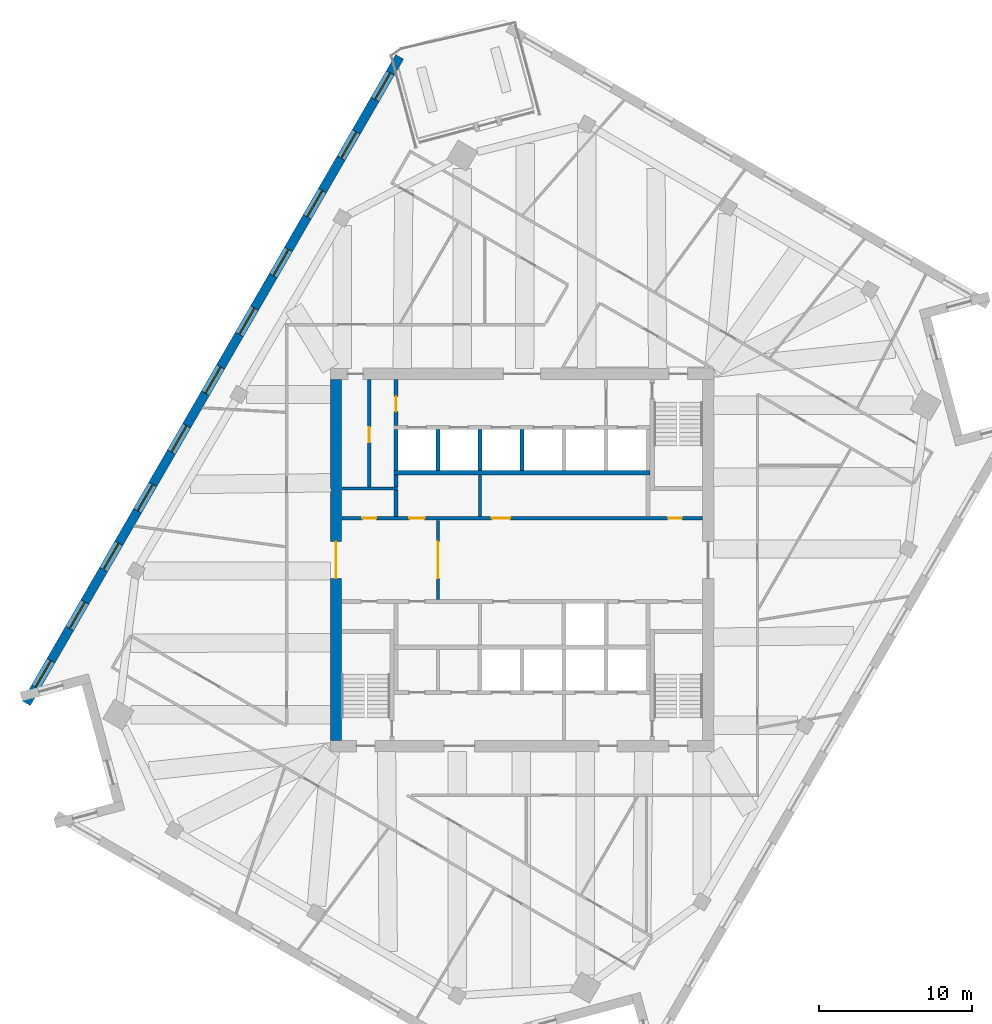
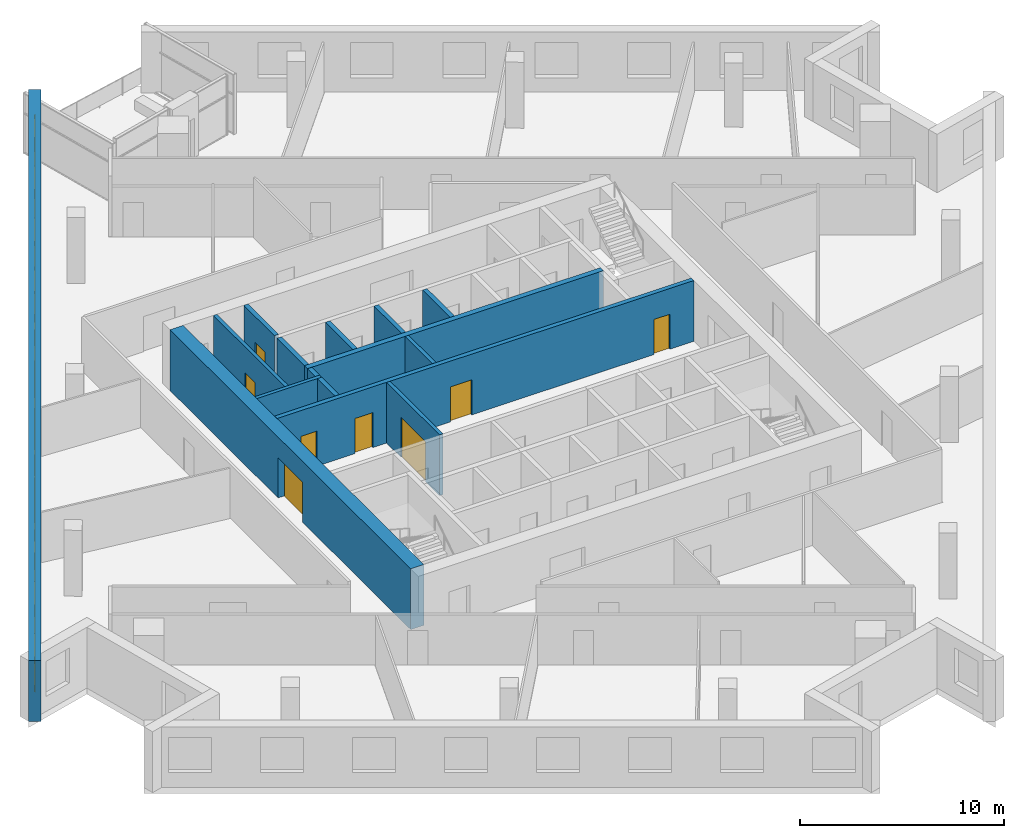
# One storey, part 9 of 13: 15 walls, 11 windows, 8 doors, 19 openings.
"""IFC4 building model written with IfcOpenShell, lengths in metres."""

from ifc_helpers import new_model, si_unit, direction, frame, frame_2d, origin, place, context, subcontext, project, spatial, rectangle, extrude, material, layer, layer_set, type_object, element, fill, save


model = new_model("IFC4")

# Units and contexts
model_context = context("Model", 3, precision=1e-05, world=origin(), true_north=direction((0.0, 1.0)))
body_context = subcontext(model_context, "Body", "Model", "MODEL_VIEW")
ifc_project = project(units=[si_unit("LENGTHUNIT", "METRE"), si_unit("AREAUNIT", "SQUARE_METRE"), si_unit("VOLUMEUNIT", "CUBIC_METRE"), si_unit("PLANEANGLEUNIT", "RADIAN"), si_unit("MASSUNIT", "GRAM", prefix="KILO")], contexts=[model_context])

# Site, building, storey
site_placement = place(None, origin())
site = spatial("IfcSite", under=ifc_project, at=site_placement, CompositionType="ELEMENT")
building_placement = place(site_placement, origin())
building = spatial("IfcBuilding", under=site, at=building_placement, Name="Dilmun Exchange Tower", CompositionType="ELEMENT")
storey_placement = place(building_placement, frame((0.0, 0.0, 266.89990234375)))
storey = spatial("IfcBuildingStorey", under=building, at=storey_placement, Name="L63", CompositionType="ELEMENT", Elevation=266.89990234375)

# Wall, opening, door
ifc_material_1 = material(Name="Concrete C40/50", Category="concrete")
ifc_layer_1 = layer(ifc_material_1, 0.199951171875)
ifc_layer_set_1 = layer_set([ifc_layer_1], Name="Concrete C40/50")
wall_type_1 = type_object("IfcWallType", Name="Core partition wall 200", PredefinedType="PARTITIONING", material=ifc_layer_set_1)
wall_1_placement = place(storey_placement, frame((-5.5, -2.594970703125, 0.0), z_axis=(0.0, 0.0, 1.0), x_axis=(0.0, 1.0, 0.0)))
wall_1 = element("IfcWall", 1, at=wall_1_placement, inside=storey, type_object=wall_type_1, Name="L63 core partition wall 11", PredefinedType="PARTITIONING", context=body_context, shape_type="SweptSolid", body=[
    extrude(rectangle(XDim=5.18994140625, YDim=0.199951171875, at=frame_2d((2.594970703125, 0.0))), origin(), (0.0, 0.0, 1.0), 3.64013671875),
])
opening_1_placement = place(wall_1_placement, frame((1.39501953125, 0.0, 0.0)))
opening_1 = element("IfcOpeningElement", 2, at=opening_1_placement, cuts=wall_1, Name="Opening CD1", PredefinedType="OPENING", context=body_context, shape_type="SweptSolid", body=[
    extrude(rectangle(XDim=2.39990234375, YDim=2.39990234375, at=frame_2d((1.199951171875, 1.199951171875))), frame((0.0, 0.10986328125, 0.0), z_axis=(0.0, -1.0, 0.0), x_axis=(1.0, 0.0, 0.0)), (0.0, 0.0, 1.0), 0.219970703125),
])
ifc_material_2 = material(Name="Fire-rated steel door set", Category="steel")
door_type_1 = type_object("IfcDoorType", Name="Core lobby door 2400x2400", OperationType="DOUBLE_DOOR_DOUBLE_SWING", PredefinedType="DOOR", material=ifc_material_2)
door_1_placement = place(opening_1_placement, origin())
door_1 = element("IfcDoor", 3, at=door_1_placement, inside=storey, type_object=door_type_1, Name="L63 door Lift lobby east", OperationType="DOUBLE_DOOR_DOUBLE_SWING", OverallHeight=2.39990234375, OverallWidth=2.39990234375, PredefinedType="DOOR", context=body_context, shape_type="SweptSolid", body=[
    extrude(rectangle(XDim=2.39990234375, YDim=2.39990234375, at=frame_2d((1.199951171875, 1.199951171875))), frame((0.0, 0.02490234375, 0.0), z_axis=(0.0, -1.0, 0.0), x_axis=(1.0, 0.0, 0.0)), (0.0, 0.0, 1.0), 0.050048828125),
])
fill(opening_1, door_1)

# Walls
wall_2_placement = place(storey_placement, frame((-2.75, 2.85498046875, 0.0), z_axis=(0.0, 0.0, 1.0), x_axis=(0.0, 1.0, 0.0)))
element("IfcWall", 4, at=wall_2_placement, inside=storey, type_object=wall_type_1, Name="L63 core partition wall 14", PredefinedType="PARTITIONING", context=body_context, shape_type="SweptSolid", body=[
    extrude(rectangle(XDim=2.68994140625, YDim=0.199951171875, at=frame_2d((1.344970703125, 0.0))), origin(), (0.0, 0.0, 1.0), 3.64013671875),
])
wall_3_placement = place(storey_placement, frame((-11.794921875, 4.675048828125, 0.0), z_axis=(0.0, 0.0, 1.0), x_axis=(1.0, 0.0, 0.0)))
element("IfcWall", 5, at=wall_3_placement, inside=storey, type_object=wall_type_1, Name="L63 core partition wall 16", PredefinedType="PARTITIONING", context=body_context, shape_type="SweptSolid", body=[
    extrude(rectangle(XDim=3.64501953125, YDim=0.199951171875, at=frame_2d((1.822509765625, 0.0))), origin(), (0.0, 0.0, 1.0), 3.64013671875),
])

# Wall, opening, door
wall_4_placement = place(storey_placement, frame((-10.0, 4.780029296875, 0.0), z_axis=(0.0, 0.0, 1.0), x_axis=(0.0, 1.0, 0.0)))
wall_4 = element("IfcWall", 6, at=wall_4_placement, inside=storey, type_object=wall_type_1, Name="L63 core partition wall 17", PredefinedType="PARTITIONING", context=body_context, shape_type="SweptSolid", body=[
    extrude(rectangle(XDim=7.014892578125, YDim=0.199951171875, at=frame_2d((3.50732421875, 0.0))), origin(), (0.0, 0.0, 1.0), 3.64013671875),
])
opening_2_placement = place(wall_4_placement, frame((2.919921875, 0.0, 0.0)))
opening_2 = element("IfcOpeningElement", 7, at=opening_2_placement, cuts=wall_4, Name="Opening CD4", PredefinedType="OPENING", context=body_context, shape_type="SweptSolid", body=[
    extrude(rectangle(XDim=1.0, YDim=2.10009765625, at=frame_2d((0.5, 1.050048828125))), frame((0.0, 0.10986328125, 0.0), z_axis=(0.0, -1.0, 0.0), x_axis=(1.0, 0.0, 0.0)), (0.0, 0.0, 1.0), 0.219970703125),
])
door_type_2 = type_object("IfcDoorType", Name="Core room door 1000x2100", OperationType="SINGLE_SWING_LEFT", PredefinedType="DOOR", material=ifc_material_2)
door_2_placement = place(opening_2_placement, origin())
door_2 = element("IfcDoor", 8, at=door_2_placement, inside=storey, type_object=door_type_2, Name="L63 door Comms room", OperationType="SINGLE_SWING_RIGHT", OverallHeight=2.10009765625, OverallWidth=1.0, PredefinedType="DOOR", context=body_context, shape_type="SweptSolid", body=[
    extrude(rectangle(XDim=1.0, YDim=2.10009765625, at=frame_2d((0.5, 1.050048828125))), frame((0.0, 0.02490234375, 0.0), z_axis=(0.0, -1.0, 0.0), x_axis=(1.0, 0.0, 0.0)), (0.0, 0.0, 1.0), 0.050048828125),
])
fill(opening_2, door_2)

# Wall, openings, doors
ifc_layer_2 = layer(ifc_material_1, 0.25)
ifc_layer_set_2 = layer_set([ifc_layer_2], Name="Concrete C40/50")
wall_type_2 = type_object("IfcWallType", Name="Core partition wall 250", PredefinedType="PARTITIONING", material=ifc_layer_set_2)
wall_5_placement = place(storey_placement, frame((-11.794921875, 2.72509765625, 0.0), z_axis=(0.0, 0.0, 1.0), x_axis=(1.0, 0.0, 0.0)))
wall_5 = element("IfcWall", 9, at=wall_5_placement, inside=storey, type_object=wall_type_2, Name="L63 core partition wall 12", PredefinedType="PARTITIONING", context=body_context, shape_type="SweptSolid", body=[
    extrude(rectangle(XDim=23.58984375, YDim=0.25, at=frame_2d((11.794921875, 0.0))), origin(), (0.0, 0.0, 1.0), 3.64013671875),
])
opening_3_placement = place(wall_5_placement, frame((21.344970703125, 0.0, 0.0)))
opening_3 = element("IfcOpeningElement", 10, at=opening_3_placement, cuts=wall_5, Name="Opening CD6", PredefinedType="OPENING", context=body_context, shape_type="SweptSolid", body=[
    extrude(rectangle(XDim=0.89990234375, YDim=2.10009765625, at=frame_2d((0.449951171875, 1.050048828125))), frame((0.0, 0.135009765625, 0.0), z_axis=(0.0, -1.0, 0.0), x_axis=(1.0, 0.0, 0.0)), (0.0, 0.0, 1.0), 0.27001953125),
])
opening_4_placement = place(wall_5_placement, frame((1.344970703125, 0.0, 0.0)))
opening_4 = element("IfcOpeningElement", 11, at=opening_4_placement, cuts=wall_5, Name="Opening CD6", PredefinedType="OPENING", context=body_context, shape_type="SweptSolid", body=[
    extrude(rectangle(XDim=0.89990234375, YDim=2.10009765625, at=frame_2d((0.449951171875, 1.050048828125))), frame((0.0, 0.135009765625, 0.0), z_axis=(0.0, -1.0, 0.0), x_axis=(1.0, 0.0, 0.0)), (0.0, 0.0, 1.0), 0.27001953125),
])
opening_5_placement = place(wall_5_placement, frame((4.419921875, 0.0, 0.0)))
opening_5 = element("IfcOpeningElement", 12, at=opening_5_placement, cuts=wall_5, Name="Opening CD4", PredefinedType="OPENING", context=body_context, shape_type="SweptSolid", body=[
    extrude(rectangle(XDim=1.0, YDim=2.10009765625, at=frame_2d((0.5, 1.050048828125))), frame((0.0, 0.135009765625, 0.0), z_axis=(0.0, -1.0, 0.0), x_axis=(1.0, 0.0, 0.0)), (0.0, 0.0, 1.0), 0.27001953125),
])
opening_6_placement = place(wall_5_placement, frame((9.820068359375, 0.0, 0.0)))
opening_6 = element("IfcOpeningElement", 13, at=opening_6_placement, cuts=wall_5, Name="Opening CD3", PredefinedType="OPENING", context=body_context, shape_type="SweptSolid", body=[
    extrude(rectangle(XDim=1.199951171875, YDim=2.10009765625, at=frame_2d((0.60009765625, 1.050048828125))), frame((0.0, 0.135009765625, 0.0), z_axis=(0.0, -1.0, 0.0), x_axis=(1.0, 0.0, 0.0)), (0.0, 0.0, 1.0), 0.27001953125),
])
door_3_placement = place(opening_5_placement, origin())
door_3 = element("IfcDoor", 14, at=door_3_placement, inside=storey, type_object=door_type_2, Name="L63 door Mechanical room", OperationType="SINGLE_SWING_RIGHT", OverallHeight=2.10009765625, OverallWidth=1.0, PredefinedType="DOOR", context=body_context, shape_type="SweptSolid", body=[
    extrude(rectangle(XDim=1.0, YDim=2.10009765625, at=frame_2d((0.5, 1.050048828125))), frame((0.0, 0.02490234375, 0.0), z_axis=(0.0, -1.0, 0.0), x_axis=(1.0, 0.0, 0.0)), (0.0, 0.0, 1.0), 0.050048828125),
])
fill(opening_5, door_3)
door_type_3 = type_object("IfcDoorType", Name="Core room door 900x2100", OperationType="SINGLE_SWING_LEFT", PredefinedType="DOOR", material=ifc_material_2)
door_4_placement = place(opening_3_placement, origin())
door_4 = element("IfcDoor", 15, at=door_4_placement, inside=storey, type_object=door_type_3, Name="L63 door Electrical riser", OperationType="SINGLE_SWING_RIGHT", OverallHeight=2.10009765625, OverallWidth=0.89990234375, PredefinedType="DOOR", context=body_context, shape_type="SweptSolid", body=[
    extrude(rectangle(XDim=0.89990234375, YDim=2.10009765625, at=frame_2d((0.449951171875, 1.050048828125))), frame((0.0, 0.02490234375, 0.0), z_axis=(0.0, -1.0, 0.0), x_axis=(1.0, 0.0, 0.0)), (0.0, 0.0, 1.0), 0.050048828125),
])
fill(opening_3, door_4)
door_5_placement = place(opening_4_placement, origin())
door_5 = element("IfcDoor", 16, at=door_5_placement, inside=storey, type_object=door_type_3, Name="L63 door Plumbing riser", OperationType="SINGLE_SWING_RIGHT", OverallHeight=2.10009765625, OverallWidth=0.89990234375, PredefinedType="DOOR", context=body_context, shape_type="SweptSolid", body=[
    extrude(rectangle(XDim=0.89990234375, YDim=2.10009765625, at=frame_2d((0.449951171875, 1.050048828125))), frame((0.0, 0.02490234375, 0.0), z_axis=(0.0, -1.0, 0.0), x_axis=(1.0, 0.0, 0.0)), (0.0, 0.0, 1.0), 0.050048828125),
])
fill(opening_4, door_5)
door_type_4 = type_object("IfcDoorType", Name="Stair exit door 1200x2100", OperationType="SINGLE_SWING_LEFT", PredefinedType="DOOR", material=ifc_material_2)
door_6_placement = place(opening_6_placement, origin())
door_6 = element("IfcDoor", 17, at=door_6_placement, inside=storey, type_object=door_type_4, Name="L63 door Tenant meeting suite", OperationType="SINGLE_SWING_LEFT", OverallHeight=2.10009765625, OverallWidth=1.199951171875, PredefinedType="DOOR", context=body_context, shape_type="SweptSolid", body=[
    extrude(rectangle(XDim=1.199951171875, YDim=2.10009765625, at=frame_2d((0.60009765625, 1.050048828125))), frame((0.0, 0.02490234375, 0.0), z_axis=(0.0, -1.0, 0.0), x_axis=(1.0, 0.0, 0.0)), (0.0, 0.0, 1.0), 0.050048828125),
])
fill(opening_6, door_6)

# Walls
wall_6_placement = place(storey_placement, frame((-8.25, 2.85498046875, 0.0), z_axis=(0.0, 0.0, 1.0), x_axis=(0.0, 1.0, 0.0)))
element("IfcWall", 18, at=wall_6_placement, inside=storey, type_object=wall_type_2, Name="L63 core partition wall 13", PredefinedType="PARTITIONING", context=body_context, shape_type="SweptSolid", body=[
    extrude(rectangle(XDim=1.715087890625, YDim=0.25, at=frame_2d((0.857421875, 0.0))), origin(), (0.0, 0.0, 1.0), 3.64013671875),
])
wall_7_placement = place(storey_placement, frame((-8.25, 4.780029296875, 0.0), z_axis=(0.0, 0.0, 1.0), x_axis=(0.0, 1.0, 0.0)))
element("IfcWall", 19, at=wall_7_placement, inside=storey, type_object=wall_type_2, Name="L63 core partition wall 18", PredefinedType="PARTITIONING", context=body_context, shape_type="SweptSolid", body=[
    extrude(rectangle(XDim=0.764892578125, YDim=0.25, at=frame_2d((0.38232421875, 0.0))), origin(), (0.0, 0.0, 1.0), 3.64013671875),
])

# Wall, opening, door
wall_8_placement = place(storey_placement, frame((-8.25, 8.804931640625, 0.0), z_axis=(0.0, 0.0, 1.0), x_axis=(0.0, 1.0, 0.0)))
wall_8 = element("IfcWall", 20, at=wall_8_placement, inside=storey, type_object=wall_type_2, Name="L63 core partition wall 19", PredefinedType="PARTITIONING", context=body_context, shape_type="SweptSolid", body=[
    extrude(rectangle(XDim=2.989990234375, YDim=0.25, at=frame_2d((1.4951171875, 0.0))), origin(), (0.0, 0.0, 1.0), 3.64013671875),
])
opening_7_placement = place(wall_8_placement, frame((0.89501953125, 0.0, 0.0)))
opening_7 = element("IfcOpeningElement", 21, at=opening_7_placement, cuts=wall_8, Name="Opening CD4", PredefinedType="OPENING", context=body_context, shape_type="SweptSolid", body=[
    extrude(rectangle(XDim=1.0, YDim=2.10009765625, at=frame_2d((0.5, 1.050048828125))), frame((0.0, 0.135009765625, 0.0), z_axis=(0.0, -1.0, 0.0), x_axis=(1.0, 0.0, 0.0)), (0.0, 0.0, 1.0), 0.27001953125),
])
door_7_placement = place(opening_7_placement, origin())
door_7 = element("IfcDoor", 22, at=door_7_placement, inside=storey, type_object=door_type_2, Name="L63 door Security room", OperationType="SINGLE_SWING_RIGHT", OverallHeight=2.10009765625, OverallWidth=1.0, PredefinedType="DOOR", context=body_context, shape_type="SweptSolid", body=[
    extrude(rectangle(XDim=1.0, YDim=2.10009765625, at=frame_2d((0.5, 1.050048828125))), frame((0.0, 0.02490234375, 0.0), z_axis=(0.0, -1.0, 0.0), x_axis=(1.0, 0.0, 0.0)), (0.0, 0.0, 1.0), 0.050048828125),
])
fill(opening_7, door_7)

ifc_material_3 = material(Name="Concrete C50/60", Category="concrete")
ifc_layer_3 = layer(ifc_material_3, 0.75)
ifc_layer_set_3 = layer_set([ifc_layer_3], Name="Concrete C50/60")
wall_type_3 = type_object("IfcWallType", Name="Core shear wall 750 Concrete C50/60", PredefinedType="SHEAR", material=ifc_layer_set_3)
wall_9_placement = place(storey_placement, frame((-12.175048828125, -11.800048828125, 0.0), z_axis=(0.0, 0.0, 1.0), x_axis=(0.0, 1.0, 0.0)))
wall_9 = element("IfcWall", 23, at=wall_9_placement, inside=storey, type_object=wall_type_3, Name="L63 core shear wall W", PredefinedType="SHEAR", context=body_context, shape_type="SweptSolid", body=[
    extrude(rectangle(XDim=23.60009765625, YDim=0.75, at=frame_2d((11.800048828125, 0.0))), origin(), (0.0, 0.0, 1.0), 3.64013671875),
])
opening_8_placement = place(wall_9_placement, frame((10.60009765625, 0.0, 0.0)))
opening_8 = element("IfcOpeningElement", 24, at=opening_8_placement, cuts=wall_9, Name="Opening CD1", PredefinedType="OPENING", context=body_context, shape_type="SweptSolid", body=[
    extrude(rectangle(XDim=2.39990234375, YDim=2.39990234375, at=frame_2d((1.199951171875, 1.199951171875))), frame((0.0, 0.385009765625, 0.0), z_axis=(0.0, -1.0, 0.0), x_axis=(1.0, 0.0, 0.0)), (0.0, 0.0, 1.0), 0.77001953125),
])
door_8_placement = place(opening_8_placement, origin())
door_8 = element("IfcDoor", 25, at=door_8_placement, inside=storey, type_object=door_type_1, Name="L63 door Central lift lobby", OperationType="SINGLE_SWING_LEFT", OverallHeight=2.39990234375, OverallWidth=2.39990234375, PredefinedType="DOOR", context=body_context, shape_type="SweptSolid", body=[
    extrude(rectangle(XDim=2.39990234375, YDim=2.39990234375, at=frame_2d((1.199951171875, 1.199951171875))), frame((0.0, 0.02490234375, 0.0), z_axis=(0.0, -1.0, 0.0), x_axis=(1.0, 0.0, 0.0)), (0.0, 0.0, 1.0), 0.050048828125),
])
fill(opening_8, door_8)

# Walls
ifc_layer_4 = layer(ifc_material_1, 0.300048828125)
ifc_layer_set_4 = layer_set([ifc_layer_4], Name="Concrete C40/50")
wall_type_4 = type_object("IfcWallType", Name="Lift shaft shared wall 300", PredefinedType="SOLIDWALL", material=ifc_layer_set_4)
wall_10_placement = place(storey_placement, frame((-8.375, 5.699951171875, 0.0), z_axis=(0.0, 0.0, 1.0), x_axis=(1.0, 0.0, 0.0)))
element("IfcWall", 26, at=wall_10_placement, inside=storey, type_object=wall_type_4, Name="L63 lift shaft rear wall N", PredefinedType="SOLIDWALL", context=body_context, shape_type="SweptSolid", body=[
    extrude(rectangle(XDim=16.75, YDim=0.300048828125, at=frame_2d((8.375, 0.0))), origin(), (0.0, 0.0, 1.0), 3.64013671875),
])
ifc_layer_5 = layer(ifc_material_1, 0.25)
ifc_layer_set_5 = layer_set([ifc_layer_5], Name="Concrete C40/50")
wall_type_5 = type_object("IfcWallType", Name="Lift shaft wall 250", PredefinedType="SOLIDWALL", material=ifc_layer_set_5)
for number, where, z_axis, x_axis, name in (
    (27, (-8.25, 5.85009765625, 0.0), (0.0, 0.0, 1.0), (0.0, 1.0, 0.0), "L63 lift shaft divider N20"),
    (28, (-5.5, 5.85009765625, 0.0), (0.0, 0.0, 1.0), (0.0, 1.0, 0.0), "L63 lift shaft divider N21"),
    (29, (-2.75, 5.85009765625, 0.0), (0.0, 0.0, 1.0), (0.0, 1.0, 0.0), "L63 lift shaft divider N22"),
    (30, (0.0, 5.85009765625, 0.0), (0.0, 0.0, 1.0), (0.0, 1.0, 0.0), "L63 lift shaft divider N23"),
):
    element("IfcWall", number, at=place(storey_placement, frame(where, z_axis=z_axis, x_axis=x_axis)), inside=storey, type_object=wall_type_5, Name=name, PredefinedType="SOLIDWALL", context=body_context, shape_type="SweptSolid", body=[
        extrude(rectangle(XDim=2.699951171875, YDim=0.25, at=frame_2d((1.35009765625, 0.0))), origin(), (0.0, 0.0, 1.0), 3.64013671875),
    ])

# Wall, openings, windows
ifc_material_4 = material(Name="Precast concrete C50/60", Category="concrete")
ifc_layer_6 = layer(ifc_material_4, 0.60009765625)
ifc_layer_set_6 = layer_set([ifc_layer_6], Name="Precast concrete C50/60")
wall_type_6 = type_object("IfcWallType", Name="Precast stone-clad wall 600", PredefinedType="STANDARD", material=ifc_layer_set_6)
wall_11_placement = place(storey_placement, frame((-8.014892578125, 32.91748046875, 0.0), z_axis=(0.0, 0.0, 1.0), x_axis=(-0.500001675963, -0.866024436165, 0.0)))
wall_11 = element("IfcWall", 31, at=wall_11_placement, inside=storey, type_object=wall_type_6, Name="Facade wall L63-03", PredefinedType="STANDARD", context=body_context, shape_type="SweptSolid", body=[
    extrude(rectangle(XDim=48.843017578125, YDim=0.60009765625, at=frame_2d((24.42138671875, 0.0))), origin(), (0.0, 0.0, 1.0), 3.64013671875),
])
opening_9_placement = place(wall_11_placement, frame((1.22021484375, 0.0, 0.89990234375)))
opening_9 = element("IfcOpeningElement", 32, at=opening_9_placement, cuts=wall_11, Name="Opening W200-210", PredefinedType="OPENING", context=body_context, shape_type="SweptSolid", body=[
    extrude(rectangle(XDim=2.0, YDim=2.10009765625, at=frame_2d((1.0, 1.050048828125))), frame((0.0, 0.31005859375, 0.0), z_axis=(0.0, -1.0, 0.0), x_axis=(1.0, 0.0, 0.0)), (0.0, 0.0, 1.0), 0.6201171875),
])
opening_10_placement = place(wall_11_placement, frame((5.660400390625, 0.0, 0.89990234375)))
opening_10 = element("IfcOpeningElement", 33, at=opening_10_placement, cuts=wall_11, Name="Opening W200-210", PredefinedType="OPENING", context=body_context, shape_type="SweptSolid", body=[
    extrude(rectangle(XDim=2.0, YDim=2.10009765625, at=frame_2d((1.0, 1.050048828125))), frame((0.0, 0.31005859375, 0.0), z_axis=(0.0, -1.0, 0.0), x_axis=(1.0, 0.0, 0.0)), (0.0, 0.0, 1.0), 0.6201171875),
])
opening_11_placement = place(wall_11_placement, frame((10.1005859375, 0.0, 0.89990234375)))
opening_11 = element("IfcOpeningElement", 34, at=opening_11_placement, cuts=wall_11, Name="Opening W200-210", PredefinedType="OPENING", context=body_context, shape_type="SweptSolid", body=[
    extrude(rectangle(XDim=2.0, YDim=2.10009765625, at=frame_2d((1.0, 1.050048828125))), frame((0.0, 0.31005859375, 0.0), z_axis=(0.0, -1.0, 0.0), x_axis=(1.0, 0.0, 0.0)), (0.0, 0.0, 1.0), 0.6201171875),
])
opening_12_placement = place(wall_11_placement, frame((14.541015625, 0.0, 0.89990234375)))
opening_12 = element("IfcOpeningElement", 35, at=opening_12_placement, cuts=wall_11, Name="Opening W200-210", PredefinedType="OPENING", context=body_context, shape_type="SweptSolid", body=[
    extrude(rectangle(XDim=2.0, YDim=2.10009765625, at=frame_2d((1.0, 1.050048828125))), frame((0.0, 0.31005859375, 0.0), z_axis=(0.0, -1.0, 0.0), x_axis=(1.0, 0.0, 0.0)), (0.0, 0.0, 1.0), 0.6201171875),
])
opening_13_placement = place(wall_11_placement, frame((18.981201171875, 0.0, 0.89990234375)))
opening_13 = element("IfcOpeningElement", 36, at=opening_13_placement, cuts=wall_11, Name="Opening W200-210", PredefinedType="OPENING", context=body_context, shape_type="SweptSolid", body=[
    extrude(rectangle(XDim=2.0, YDim=2.10009765625, at=frame_2d((1.0, 1.050048828125))), frame((0.0, 0.31005859375, 0.0), z_axis=(0.0, -1.0, 0.0), x_axis=(1.0, 0.0, 0.0)), (0.0, 0.0, 1.0), 0.6201171875),
])
opening_14_placement = place(wall_11_placement, frame((23.421630859375, 0.0, 0.89990234375)))
opening_14 = element("IfcOpeningElement", 37, at=opening_14_placement, cuts=wall_11, Name="Opening W200-210", PredefinedType="OPENING", context=body_context, shape_type="SweptSolid", body=[
    extrude(rectangle(XDim=2.0, YDim=2.10009765625, at=frame_2d((1.0, 1.050048828125))), frame((0.0, 0.31005859375, 0.0), z_axis=(0.0, -1.0, 0.0), x_axis=(1.0, 0.0, 0.0)), (0.0, 0.0, 1.0), 0.6201171875),
])
opening_15_placement = place(wall_11_placement, frame((27.86181640625, 0.0, 0.89990234375)))
opening_15 = element("IfcOpeningElement", 38, at=opening_15_placement, cuts=wall_11, Name="Opening W200-210", PredefinedType="OPENING", context=body_context, shape_type="SweptSolid", body=[
    extrude(rectangle(XDim=2.0, YDim=2.10009765625, at=frame_2d((1.0, 1.050048828125))), frame((0.0, 0.31005859375, 0.0), z_axis=(0.0, -1.0, 0.0), x_axis=(1.0, 0.0, 0.0)), (0.0, 0.0, 1.0), 0.6201171875),
])
opening_16_placement = place(wall_11_placement, frame((32.302001953125, 0.0, 0.89990234375)))
opening_16 = element("IfcOpeningElement", 39, at=opening_16_placement, cuts=wall_11, Name="Opening W200-210", PredefinedType="OPENING", context=body_context, shape_type="SweptSolid", body=[
    extrude(rectangle(XDim=2.0, YDim=2.10009765625, at=frame_2d((1.0, 1.050048828125))), frame((0.0, 0.31005859375, 0.0), z_axis=(0.0, -1.0, 0.0), x_axis=(1.0, 0.0, 0.0)), (0.0, 0.0, 1.0), 0.6201171875),
])
opening_17_placement = place(wall_11_placement, frame((36.742431640625, 0.0, 0.89990234375)))
opening_17 = element("IfcOpeningElement", 40, at=opening_17_placement, cuts=wall_11, Name="Opening W200-210", PredefinedType="OPENING", context=body_context, shape_type="SweptSolid", body=[
    extrude(rectangle(XDim=2.0, YDim=2.10009765625, at=frame_2d((1.0, 1.050048828125))), frame((0.0, 0.31005859375, 0.0), z_axis=(0.0, -1.0, 0.0), x_axis=(1.0, 0.0, 0.0)), (0.0, 0.0, 1.0), 0.6201171875),
])
opening_18_placement = place(wall_11_placement, frame((41.1826171875, 0.0, 0.89990234375)))
opening_18 = element("IfcOpeningElement", 41, at=opening_18_placement, cuts=wall_11, Name="Opening W200-210", PredefinedType="OPENING", context=body_context, shape_type="SweptSolid", body=[
    extrude(rectangle(XDim=2.0, YDim=2.10009765625, at=frame_2d((1.0, 1.050048828125))), frame((0.0, 0.31005859375, 0.0), z_axis=(0.0, -1.0, 0.0), x_axis=(1.0, 0.0, 0.0)), (0.0, 0.0, 1.0), 0.6201171875),
])
opening_19_placement = place(wall_11_placement, frame((45.623046875, 0.0, 0.89990234375)))
opening_19 = element("IfcOpeningElement", 42, at=opening_19_placement, cuts=wall_11, Name="Opening W200-210", PredefinedType="OPENING", context=body_context, shape_type="SweptSolid", body=[
    extrude(rectangle(XDim=2.0, YDim=2.10009765625, at=frame_2d((1.0, 1.050048828125))), frame((0.0, 0.31005859375, 0.0), z_axis=(0.0, -1.0, 0.0), x_axis=(1.0, 0.0, 0.0)), (0.0, 0.0, 1.0), 0.6201171875),
])
ifc_material_5 = material(Name="Clear low-emissivity glass in aluminium frame", Category="aluminium")
window_type = type_object("IfcWindowType", Name="Punched window 2000 x 2100", PartitioningType="DOUBLE_PANEL_VERTICAL", PredefinedType="WINDOW", material=ifc_material_5)
window_1_placement = place(opening_9_placement, origin())
window_1 = element("IfcWindow", 43, at=window_1_placement, inside=storey, type_object=window_type, Name="Window 4.1", OverallHeight=2.10009765625, OverallWidth=2.0, PartitioningType="SINGLE_PANEL", PredefinedType="WINDOW", context=body_context, shape_type="SweptSolid", body=[
    extrude(rectangle(XDim=2.0, YDim=2.10009765625, at=frame_2d((1.0, 1.050048828125))), frame((0.0, 0.030029296875, 0.0), z_axis=(0.0, -1.0, 0.0), x_axis=(1.0, 0.0, 0.0)), (0.0, 0.0, 1.0), 0.06005859375),
])
fill(opening_9, window_1)
window_2_placement = place(opening_10_placement, origin())
window_2 = element("IfcWindow", 44, at=window_2_placement, inside=storey, type_object=window_type, Name="Window 4.2", OverallHeight=2.10009765625, OverallWidth=2.0, PartitioningType="SINGLE_PANEL", PredefinedType="WINDOW", context=body_context, shape_type="SweptSolid", body=[
    extrude(rectangle(XDim=2.0, YDim=2.10009765625, at=frame_2d((1.0, 1.050048828125))), frame((0.0, 0.030029296875, 0.0), z_axis=(0.0, -1.0, 0.0), x_axis=(1.0, 0.0, 0.0)), (0.0, 0.0, 1.0), 0.06005859375),
])
fill(opening_10, window_2)
window_3_placement = place(opening_11_placement, origin())
window_3 = element("IfcWindow", 45, at=window_3_placement, inside=storey, type_object=window_type, Name="Window 4.3", OverallHeight=2.10009765625, OverallWidth=2.0, PartitioningType="SINGLE_PANEL", PredefinedType="WINDOW", context=body_context, shape_type="SweptSolid", body=[
    extrude(rectangle(XDim=2.0, YDim=2.10009765625, at=frame_2d((1.0, 1.050048828125))), frame((0.0, 0.030029296875, 0.0), z_axis=(0.0, -1.0, 0.0), x_axis=(1.0, 0.0, 0.0)), (0.0, 0.0, 1.0), 0.06005859375),
])
fill(opening_11, window_3)
window_4_placement = place(opening_12_placement, origin())
window_4 = element("IfcWindow", 46, at=window_4_placement, inside=storey, type_object=window_type, Name="Window 4.4", OverallHeight=2.10009765625, OverallWidth=2.0, PartitioningType="SINGLE_PANEL", PredefinedType="WINDOW", context=body_context, shape_type="SweptSolid", body=[
    extrude(rectangle(XDim=2.0, YDim=2.10009765625, at=frame_2d((1.0, 1.050048828125))), frame((0.0, 0.030029296875, 0.0), z_axis=(0.0, -1.0, 0.0), x_axis=(1.0, 0.0, 0.0)), (0.0, 0.0, 1.0), 0.06005859375),
])
fill(opening_12, window_4)
window_5_placement = place(opening_13_placement, origin())
window_5 = element("IfcWindow", 47, at=window_5_placement, inside=storey, type_object=window_type, Name="Window 4.5", OverallHeight=2.10009765625, OverallWidth=2.0, PartitioningType="SINGLE_PANEL", PredefinedType="WINDOW", context=body_context, shape_type="SweptSolid", body=[
    extrude(rectangle(XDim=2.0, YDim=2.10009765625, at=frame_2d((1.0, 1.050048828125))), frame((0.0, 0.030029296875, 0.0), z_axis=(0.0, -1.0, 0.0), x_axis=(1.0, 0.0, 0.0)), (0.0, 0.0, 1.0), 0.06005859375),
])
fill(opening_13, window_5)
window_6_placement = place(opening_14_placement, origin())
window_6 = element("IfcWindow", 48, at=window_6_placement, inside=storey, type_object=window_type, Name="Window 4.6", OverallHeight=2.10009765625, OverallWidth=2.0, PartitioningType="SINGLE_PANEL", PredefinedType="WINDOW", context=body_context, shape_type="SweptSolid", body=[
    extrude(rectangle(XDim=2.0, YDim=2.10009765625, at=frame_2d((1.0, 1.050048828125))), frame((0.0, 0.030029296875, 0.0), z_axis=(0.0, -1.0, 0.0), x_axis=(1.0, 0.0, 0.0)), (0.0, 0.0, 1.0), 0.06005859375),
])
fill(opening_14, window_6)
window_7_placement = place(opening_15_placement, origin())
window_7 = element("IfcWindow", 49, at=window_7_placement, inside=storey, type_object=window_type, Name="Window 4.7", OverallHeight=2.10009765625, OverallWidth=2.0, PartitioningType="SINGLE_PANEL", PredefinedType="WINDOW", context=body_context, shape_type="SweptSolid", body=[
    extrude(rectangle(XDim=2.0, YDim=2.10009765625, at=frame_2d((1.0, 1.050048828125))), frame((0.0, 0.030029296875, 0.0), z_axis=(0.0, -1.0, 0.0), x_axis=(1.0, 0.0, 0.0)), (0.0, 0.0, 1.0), 0.06005859375),
])
fill(opening_15, window_7)
window_8_placement = place(opening_16_placement, origin())
window_8 = element("IfcWindow", 50, at=window_8_placement, inside=storey, type_object=window_type, Name="Window 4.8", OverallHeight=2.10009765625, OverallWidth=2.0, PartitioningType="SINGLE_PANEL", PredefinedType="WINDOW", context=body_context, shape_type="SweptSolid", body=[
    extrude(rectangle(XDim=2.0, YDim=2.10009765625, at=frame_2d((1.0, 1.050048828125))), frame((0.0, 0.030029296875, 0.0), z_axis=(0.0, -1.0, 0.0), x_axis=(1.0, 0.0, 0.0)), (0.0, 0.0, 1.0), 0.06005859375),
])
fill(opening_16, window_8)
window_9_placement = place(opening_17_placement, origin())
window_9 = element("IfcWindow", 51, at=window_9_placement, inside=storey, type_object=window_type, Name="Window 4.9", OverallHeight=2.10009765625, OverallWidth=2.0, PartitioningType="SINGLE_PANEL", PredefinedType="WINDOW", context=body_context, shape_type="SweptSolid", body=[
    extrude(rectangle(XDim=2.0, YDim=2.10009765625, at=frame_2d((1.0, 1.050048828125))), frame((0.0, 0.030029296875, 0.0), z_axis=(0.0, -1.0, 0.0), x_axis=(1.0, 0.0, 0.0)), (0.0, 0.0, 1.0), 0.06005859375),
])
fill(opening_17, window_9)
window_10_placement = place(opening_18_placement, origin())
window_10 = element("IfcWindow", 52, at=window_10_placement, inside=storey, type_object=window_type, Name="Window 4.10", OverallHeight=2.10009765625, OverallWidth=2.0, PartitioningType="SINGLE_PANEL", PredefinedType="WINDOW", context=body_context, shape_type="SweptSolid", body=[
    extrude(rectangle(XDim=2.0, YDim=2.10009765625, at=frame_2d((1.0, 1.050048828125))), frame((0.0, 0.030029296875, 0.0), z_axis=(0.0, -1.0, 0.0), x_axis=(1.0, 0.0, 0.0)), (0.0, 0.0, 1.0), 0.06005859375),
])
fill(opening_18, window_10)
window_11_placement = place(opening_19_placement, origin())
window_11 = element("IfcWindow", 53, at=window_11_placement, inside=storey, type_object=window_type, Name="Window 4.11", OverallHeight=2.10009765625, OverallWidth=2.0, PartitioningType="SINGLE_PANEL", PredefinedType="WINDOW", context=body_context, shape_type="SweptSolid", body=[
    extrude(rectangle(XDim=2.0, YDim=2.10009765625, at=frame_2d((1.0, 1.050048828125))), frame((0.0, 0.030029296875, 0.0), z_axis=(0.0, -1.0, 0.0), x_axis=(1.0, 0.0, 0.0)), (0.0, 0.0, 1.0), 0.06005859375),
])
fill(opening_19, window_11)

save(model, "model.ifc")
